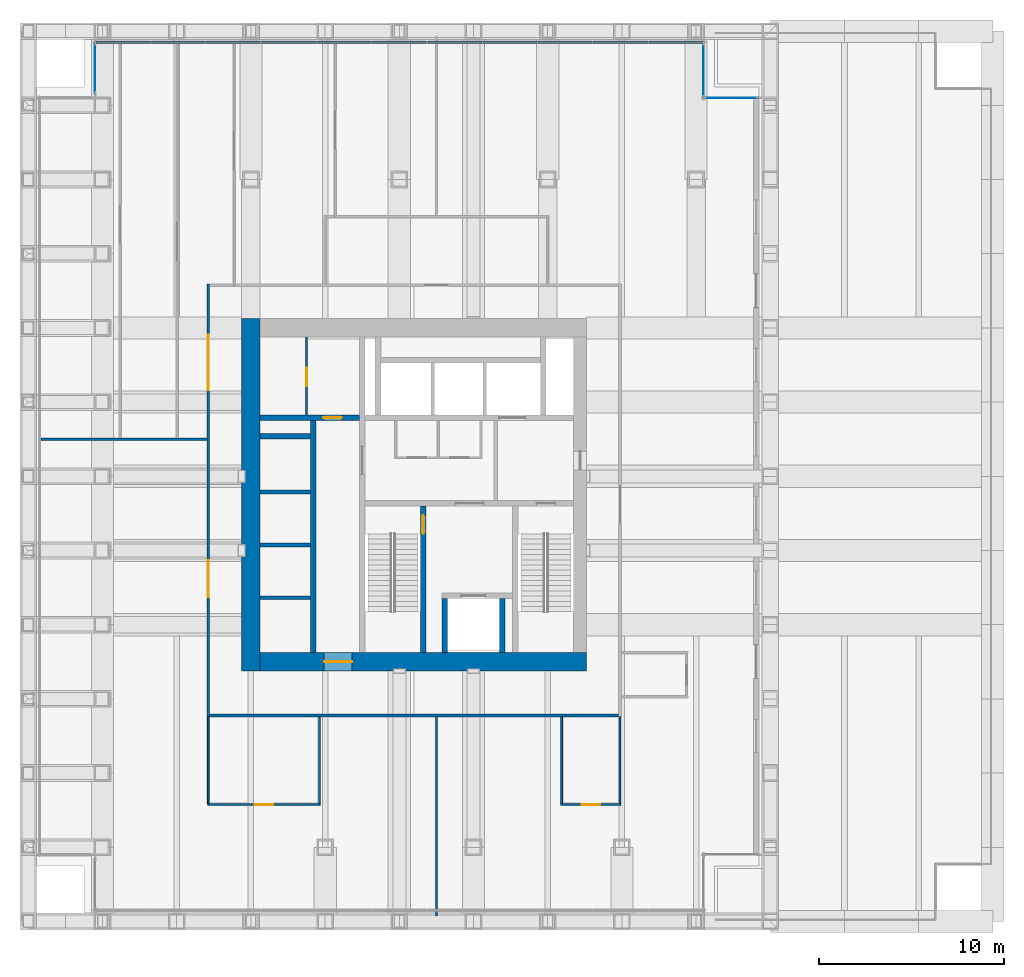
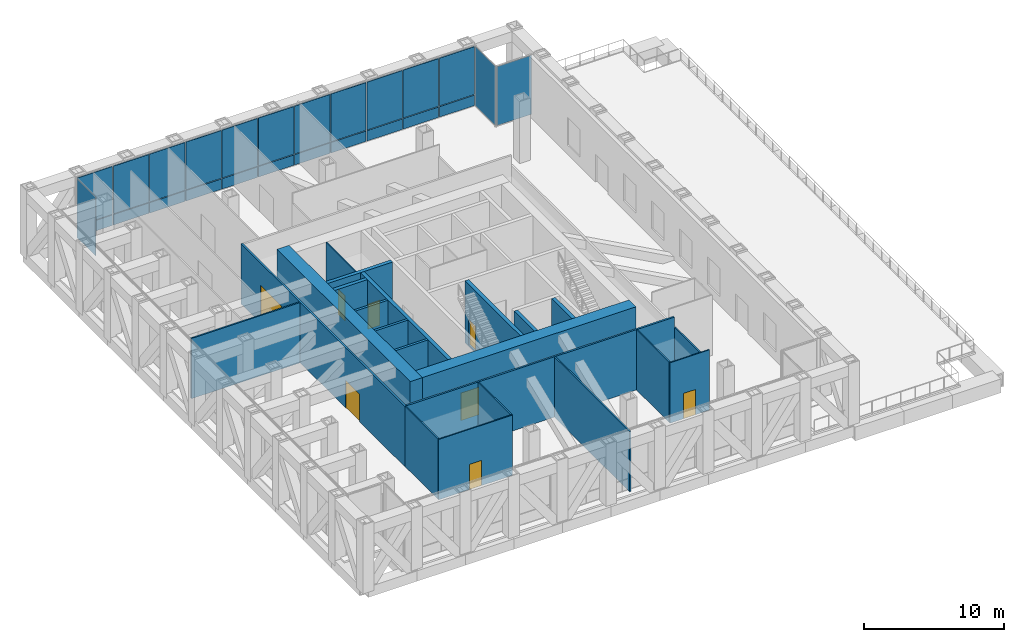
# One storey, part 10 of 13: 25 plates, 22 walls, 8 doors, 8 openings, 4 elements without a shape of their own.
"""IFC4 building model written with IfcOpenShell, lengths in metres."""

from ifc_helpers import new_model, si_unit, direction, frame, frame_2d, origin, origin_2d, place, context, subcontext, project, spatial, rectangle, extrude, material, layer, layer_set, type_object, element, fill, aggregate, save


model = new_model("IFC4")

# Units and contexts
model_context = context("Model", 3, precision=1e-05, world=origin(), true_north=direction((0.0, 1.0)))
body_context = subcontext(model_context, "Body", "Model", "MODEL_VIEW")
ifc_project = project(units=[si_unit("LENGTHUNIT", "METRE"), si_unit("AREAUNIT", "SQUARE_METRE"), si_unit("VOLUMEUNIT", "CUBIC_METRE"), si_unit("PLANEANGLEUNIT", "RADIAN"), si_unit("MASSUNIT", "GRAM", prefix="KILO")], contexts=[model_context])

# Site, building, storey
site_placement = place(None, origin())
site = spatial("IfcSite", under=ifc_project, at=site_placement, CompositionType="ELEMENT")
building_placement = place(site_placement, origin())
building = spatial("IfcBuilding", under=site, at=building_placement, Name="Rimbunsela Tower", CompositionType="ELEMENT")
storey_placement = place(building_placement, frame((0.0, 0.0, 137.39990234375)))
storey = spatial("IfcBuildingStorey", under=building, at=storey_placement, Name="L33", CompositionType="ELEMENT", Elevation=137.39990234375)

# Curtain wall, plate
ifc_material_1 = material(Name="Aluminium curtain wall", Category="aluminium")
curtain_wall_type_1 = type_object("IfcCurtainWallType", Name="Corner glazing", PredefinedType="USERDEFINED", material=ifc_material_1)
curtain_wall_1_placement = place(storey_placement, origin())
curtain_wall_1 = element("IfcCurtainWall", 1, at=curtain_wall_1_placement, inside=storey, type_object=curtain_wall_type_1, Name="Corner glazing L33", ObjectType="CORNER GLAZING", PredefinedType="USERDEFINED")
ifc_material_2 = material(Name="Clear double glazing", Category="glass")
ifc_layer_1 = layer(ifc_material_2, 0.028076171875)
ifc_layer_set_1 = layer_set([ifc_layer_1], Name="Glazed panel clear")
plate_type_1 = type_object("IfcPlateType", Name="Glazed panel clear", PredefinedType="CURTAIN_PANEL", material=ifc_layer_set_1)
plate_1_placement = place(storey_placement, frame((43.89990234375, 48.39990234375, 0.06005859375), z_axis=(0.0, 0.0, 1.0), x_axis=(-1.0, 0.0, 0.0)))
plate_1 = element("IfcPlate", 2, at=plate_1_placement, type_object=plate_type_1, Name="CW5 panel 1.1", PredefinedType="CURTAIN_PANEL", context=body_context, shape_type="SweptSolid", body=[
    extrude(rectangle(XDim=2.8798828125, YDim=0.028076171875, at=origin_2d()), origin(), (0.0, 0.0, 1.0), 5.1298828125),
])
aggregate(curtain_wall_1, [plate_1])

curtain_wall_2_placement = place(storey_placement, origin())
curtain_wall_2 = element("IfcCurtainWall", 3, at=curtain_wall_2_placement, inside=storey, type_object=curtain_wall_type_1, Name="Corner glazing L33", ObjectType="CORNER GLAZING", PredefinedType="USERDEFINED")
plate_2_placement = place(storey_placement, frame((42.39990234375, 49.89990234375, 0.06005859375), z_axis=(0.0, 0.0, 1.0), x_axis=(0.0, 1.0, 0.0)))
plate_2 = element("IfcPlate", 4, at=plate_2_placement, type_object=plate_type_1, Name="CW5 panel 1.1", PredefinedType="CURTAIN_PANEL", context=body_context, shape_type="SweptSolid", body=[
    extrude(rectangle(XDim=2.8798828125, YDim=0.028076171875, at=origin_2d()), origin(), (0.0, 0.0, 1.0), 5.1298828125),
])
aggregate(curtain_wall_2, [plate_2])

curtain_wall_3_placement = place(storey_placement, origin())
curtain_wall_3 = element("IfcCurtainWall", 5, at=curtain_wall_3_placement, inside=storey, type_object=curtain_wall_type_1, Name="Corner glazing L33", ObjectType="CORNER GLAZING", PredefinedType="USERDEFINED")
plate_3_placement = place(storey_placement, frame((9.60009765625, 49.99755859375, 0.06005859375), z_axis=(0.0, 0.0, 1.0), x_axis=(0.0, -1.0, 0.0)))
plate_3 = element("IfcPlate", 6, at=plate_3_placement, type_object=plate_type_1, Name="CW5 panel 1.1", PredefinedType="CURTAIN_PANEL", context=body_context, shape_type="SweptSolid", body=[
    extrude(rectangle(XDim=2.68505859375, YDim=0.028076171875, at=origin_2d()), origin(), (0.0, 0.0, 1.0), 5.1298828125),
])
aggregate(curtain_wall_3, [plate_3])

# Curtain wall, plates
ifc_material_3 = material(Name="Aluminium curtain wall", Category="aluminium")
curtain_wall_type_2 = type_object("IfcCurtainWallType", Name="Plant floor louvre wall", PredefinedType="USERDEFINED", material=ifc_material_3)
curtain_wall_4_placement = place(storey_placement, origin())
curtain_wall_4 = element("IfcCurtainWall", 7, at=curtain_wall_4_placement, inside=storey, type_object=curtain_wall_type_2, Name="Plant floor louvre wall L33", ObjectType="PLANT FLOOR LOUVRE WALL", PredefinedType="USERDEFINED")
ifc_material_4 = material(Name="Aluminium louvre blades 100 deep", Category="aluminium")
ifc_layer_2 = layer(ifc_material_4, 0.10009765625)
ifc_layer_set_2 = layer_set([ifc_layer_2], Name="Louvre panel 100")
plate_type_2 = type_object("IfcPlateType", Name="Louvre panel 100", PredefinedType="CURTAIN_PANEL", material=ifc_layer_set_2)
plate_4_placement = place(storey_placement, frame((40.89404296875, 51.39990234375, 0.06005859375), z_axis=(0.0, 0.0, 1.0), x_axis=(-1.0, 0.0, 0.0)))
plate_4 = element("IfcPlate", 8, at=plate_4_placement, type_object=plate_type_2, Name="CW3 panel 1.1", PredefinedType="CURTAIN_PANEL", context=body_context, shape_type="SweptSolid", body=[
    extrude(rectangle(XDim=2.891845703125, YDim=0.10009765625, at=origin_2d()), origin(), (0.0, 0.0, 1.0), 0.909912109375),
])
plate_5_placement = place(storey_placement, frame((40.89404296875, 51.39990234375, 1.0302734375), z_axis=(0.0, 0.0, 1.0), x_axis=(-1.0, 0.0, 0.0)))
plate_5 = element("IfcPlate", 9, at=plate_5_placement, type_object=plate_type_2, Name="CW3 panel 1.2", PredefinedType="CURTAIN_PANEL", context=body_context, shape_type="SweptSolid", body=[
    extrude(rectangle(XDim=2.891845703125, YDim=0.10009765625, at=origin_2d()), origin(), (0.0, 0.0, 1.0), 4.159912109375),
])
plate_6_placement = place(storey_placement, frame((37.92724609375, 51.39990234375, 0.06005859375), z_axis=(0.0, 0.0, 1.0), x_axis=(-1.0, 0.0, 0.0)))
plate_6 = element("IfcPlate", 10, at=plate_6_placement, type_object=plate_type_2, Name="CW3 panel 2.1", PredefinedType="CURTAIN_PANEL", context=body_context, shape_type="SweptSolid", body=[
    extrude(rectangle(XDim=2.921875, YDim=0.10009765625, at=origin_2d()), origin(), (0.0, 0.0, 1.0), 0.909912109375),
])
plate_7_placement = place(storey_placement, frame((37.92724609375, 51.39990234375, 1.0302734375), z_axis=(0.0, 0.0, 1.0), x_axis=(-1.0, 0.0, 0.0)))
plate_7 = element("IfcPlate", 11, at=plate_7_placement, type_object=plate_type_2, Name="CW3 panel 2.2", PredefinedType="CURTAIN_PANEL", context=body_context, shape_type="SweptSolid", body=[
    extrude(rectangle(XDim=2.921875, YDim=0.10009765625, at=origin_2d()), origin(), (0.0, 0.0, 1.0), 4.159912109375),
])
plate_8_placement = place(storey_placement, frame((34.945556640625, 51.39990234375, 0.06005859375), z_axis=(0.0, 0.0, 1.0), x_axis=(-1.0, 0.0, 0.0)))
plate_8 = element("IfcPlate", 12, at=plate_8_placement, type_object=plate_type_2, Name="CW3 panel 3.1", PredefinedType="CURTAIN_PANEL", context=body_context, shape_type="SweptSolid", body=[
    extrude(rectangle(XDim=2.921875, YDim=0.10009765625, at=origin_2d()), origin(), (0.0, 0.0, 1.0), 0.909912109375),
])
plate_9_placement = place(storey_placement, frame((34.945556640625, 51.39990234375, 1.0302734375), z_axis=(0.0, 0.0, 1.0), x_axis=(-1.0, 0.0, 0.0)))
plate_9 = element("IfcPlate", 13, at=plate_9_placement, type_object=plate_type_2, Name="CW3 panel 3.2", PredefinedType="CURTAIN_PANEL", context=body_context, shape_type="SweptSolid", body=[
    extrude(rectangle(XDim=2.921875, YDim=0.10009765625, at=origin_2d()), origin(), (0.0, 0.0, 1.0), 4.159912109375),
])
plate_10_placement = place(storey_placement, frame((31.963623046875, 51.39990234375, 0.06005859375), z_axis=(0.0, 0.0, 1.0), x_axis=(-1.0, 0.0, 0.0)))
plate_10 = element("IfcPlate", 14, at=plate_10_placement, type_object=plate_type_2, Name="CW3 panel 4.1", PredefinedType="CURTAIN_PANEL", context=body_context, shape_type="SweptSolid", body=[
    extrude(rectangle(XDim=2.921875, YDim=0.10009765625, at=origin_2d()), origin(), (0.0, 0.0, 1.0), 0.909912109375),
])
plate_11_placement = place(storey_placement, frame((31.963623046875, 51.39990234375, 1.0302734375), z_axis=(0.0, 0.0, 1.0), x_axis=(-1.0, 0.0, 0.0)))
plate_11 = element("IfcPlate", 15, at=plate_11_placement, type_object=plate_type_2, Name="CW3 panel 4.2", PredefinedType="CURTAIN_PANEL", context=body_context, shape_type="SweptSolid", body=[
    extrude(rectangle(XDim=2.921875, YDim=0.10009765625, at=origin_2d()), origin(), (0.0, 0.0, 1.0), 4.159912109375),
])
plate_12_placement = place(storey_placement, frame((28.98193359375, 51.39990234375, 0.06005859375), z_axis=(0.0, 0.0, 1.0), x_axis=(-1.0, 0.0, 0.0)))
plate_12 = element("IfcPlate", 16, at=plate_12_placement, type_object=plate_type_2, Name="CW3 panel 5.1", PredefinedType="CURTAIN_PANEL", context=body_context, shape_type="SweptSolid", body=[
    extrude(rectangle(XDim=2.921875, YDim=0.10009765625, at=origin_2d()), origin(), (0.0, 0.0, 1.0), 0.909912109375),
])
plate_13_placement = place(storey_placement, frame((28.98193359375, 51.39990234375, 1.0302734375), z_axis=(0.0, 0.0, 1.0), x_axis=(-1.0, 0.0, 0.0)))
plate_13 = element("IfcPlate", 17, at=plate_13_placement, type_object=plate_type_2, Name="CW3 panel 5.2", PredefinedType="CURTAIN_PANEL", context=body_context, shape_type="SweptSolid", body=[
    extrude(rectangle(XDim=2.921875, YDim=0.10009765625, at=origin_2d()), origin(), (0.0, 0.0, 1.0), 4.159912109375),
])
plate_14_placement = place(storey_placement, frame((26.0, 51.39990234375, 0.06005859375), z_axis=(0.0, 0.0, 1.0), x_axis=(-1.0, 0.0, 0.0)))
plate_14 = element("IfcPlate", 18, at=plate_14_placement, type_object=plate_type_2, Name="CW3 panel 6.1", PredefinedType="CURTAIN_PANEL", context=body_context, shape_type="SweptSolid", body=[
    extrude(rectangle(XDim=2.921875, YDim=0.10009765625, at=origin_2d()), origin(), (0.0, 0.0, 1.0), 0.909912109375),
])
plate_15_placement = place(storey_placement, frame((26.0, 51.39990234375, 1.0302734375), z_axis=(0.0, 0.0, 1.0), x_axis=(-1.0, 0.0, 0.0)))
plate_15 = element("IfcPlate", 19, at=plate_15_placement, type_object=plate_type_2, Name="CW3 panel 6.2", PredefinedType="CURTAIN_PANEL", context=body_context, shape_type="SweptSolid", body=[
    extrude(rectangle(XDim=2.921875, YDim=0.10009765625, at=origin_2d()), origin(), (0.0, 0.0, 1.0), 4.159912109375),
])
plate_16_placement = place(storey_placement, frame((23.01806640625, 51.39990234375, 0.06005859375), z_axis=(0.0, 0.0, 1.0), x_axis=(-1.0, 0.0, 0.0)))
plate_16 = element("IfcPlate", 20, at=plate_16_placement, type_object=plate_type_2, Name="CW3 panel 7.1", PredefinedType="CURTAIN_PANEL", context=body_context, shape_type="SweptSolid", body=[
    extrude(rectangle(XDim=2.921875, YDim=0.10009765625, at=origin_2d()), origin(), (0.0, 0.0, 1.0), 0.909912109375),
])
plate_17_placement = place(storey_placement, frame((23.01806640625, 51.39990234375, 1.0302734375), z_axis=(0.0, 0.0, 1.0), x_axis=(-1.0, 0.0, 0.0)))
plate_17 = element("IfcPlate", 21, at=plate_17_placement, type_object=plate_type_2, Name="CW3 panel 7.2", PredefinedType="CURTAIN_PANEL", context=body_context, shape_type="SweptSolid", body=[
    extrude(rectangle(XDim=2.921875, YDim=0.10009765625, at=origin_2d()), origin(), (0.0, 0.0, 1.0), 4.159912109375),
])
plate_18_placement = place(storey_placement, frame((20.036376953125, 51.39990234375, 0.06005859375), z_axis=(0.0, 0.0, 1.0), x_axis=(-1.0, 0.0, 0.0)))
plate_18 = element("IfcPlate", 22, at=plate_18_placement, type_object=plate_type_2, Name="CW3 panel 8.1", PredefinedType="CURTAIN_PANEL", context=body_context, shape_type="SweptSolid", body=[
    extrude(rectangle(XDim=2.921875, YDim=0.10009765625, at=origin_2d()), origin(), (0.0, 0.0, 1.0), 0.909912109375),
])
plate_19_placement = place(storey_placement, frame((20.036376953125, 51.39990234375, 1.0302734375), z_axis=(0.0, 0.0, 1.0), x_axis=(-1.0, 0.0, 0.0)))
plate_19 = element("IfcPlate", 23, at=plate_19_placement, type_object=plate_type_2, Name="CW3 panel 8.2", PredefinedType="CURTAIN_PANEL", context=body_context, shape_type="SweptSolid", body=[
    extrude(rectangle(XDim=2.921875, YDim=0.10009765625, at=origin_2d()), origin(), (0.0, 0.0, 1.0), 4.159912109375),
])
plate_20_placement = place(storey_placement, frame((17.054443359375, 51.39990234375, 0.06005859375), z_axis=(0.0, 0.0, 1.0), x_axis=(-1.0, 0.0, 0.0)))
plate_20 = element("IfcPlate", 24, at=plate_20_placement, type_object=plate_type_2, Name="CW3 panel 9.1", PredefinedType="CURTAIN_PANEL", context=body_context, shape_type="SweptSolid", body=[
    extrude(rectangle(XDim=2.921875, YDim=0.10009765625, at=origin_2d()), origin(), (0.0, 0.0, 1.0), 0.909912109375),
])
plate_21_placement = place(storey_placement, frame((17.054443359375, 51.39990234375, 1.0302734375), z_axis=(0.0, 0.0, 1.0), x_axis=(-1.0, 0.0, 0.0)))
plate_21 = element("IfcPlate", 25, at=plate_21_placement, type_object=plate_type_2, Name="CW3 panel 9.2", PredefinedType="CURTAIN_PANEL", context=body_context, shape_type="SweptSolid", body=[
    extrude(rectangle(XDim=2.921875, YDim=0.10009765625, at=origin_2d()), origin(), (0.0, 0.0, 1.0), 4.159912109375),
])
plate_22_placement = place(storey_placement, frame((14.07275390625, 51.39990234375, 0.06005859375), z_axis=(0.0, 0.0, 1.0), x_axis=(-1.0, 0.0, 0.0)))
plate_22 = element("IfcPlate", 26, at=plate_22_placement, type_object=plate_type_2, Name="CW3 panel 10.1", PredefinedType="CURTAIN_PANEL", context=body_context, shape_type="SweptSolid", body=[
    extrude(rectangle(XDim=2.921875, YDim=0.10009765625, at=origin_2d()), origin(), (0.0, 0.0, 1.0), 0.909912109375),
])
plate_23_placement = place(storey_placement, frame((14.07275390625, 51.39990234375, 1.0302734375), z_axis=(0.0, 0.0, 1.0), x_axis=(-1.0, 0.0, 0.0)))
plate_23 = element("IfcPlate", 27, at=plate_23_placement, type_object=plate_type_2, Name="CW3 panel 10.2", PredefinedType="CURTAIN_PANEL", context=body_context, shape_type="SweptSolid", body=[
    extrude(rectangle(XDim=2.921875, YDim=0.10009765625, at=origin_2d()), origin(), (0.0, 0.0, 1.0), 4.159912109375),
])
plate_24_placement = place(storey_placement, frame((11.10595703125, 51.39990234375, 0.06005859375), z_axis=(0.0, 0.0, 1.0), x_axis=(-1.0, 0.0, 0.0)))
plate_24 = element("IfcPlate", 28, at=plate_24_placement, type_object=plate_type_2, Name="CW3 panel 11.1", PredefinedType="CURTAIN_PANEL", context=body_context, shape_type="SweptSolid", body=[
    extrude(rectangle(XDim=2.891845703125, YDim=0.10009765625, at=origin_2d()), origin(), (0.0, 0.0, 1.0), 0.909912109375),
])
plate_25_placement = place(storey_placement, frame((11.10595703125, 51.39990234375, 1.0302734375), z_axis=(0.0, 0.0, 1.0), x_axis=(-1.0, 0.0, 0.0)))
plate_25 = element("IfcPlate", 29, at=plate_25_placement, type_object=plate_type_2, Name="CW3 panel 11.2", PredefinedType="CURTAIN_PANEL", context=body_context, shape_type="SweptSolid", body=[
    extrude(rectangle(XDim=2.891845703125, YDim=0.10009765625, at=origin_2d()), origin(), (0.0, 0.0, 1.0), 4.159912109375),
])
aggregate(curtain_wall_4, [plate_4, plate_5, plate_6, plate_7, plate_8, plate_9, plate_10, plate_11, plate_12, plate_13, plate_14, plate_15, plate_16, plate_17, plate_18, plate_19, plate_20, plate_21, plate_22, plate_23, plate_24, plate_25])

# Wall, opening, door
ifc_material_5 = material(Name="Concrete fc' 80 MPa", Category="concrete")
ifc_layer_3 = layer(ifc_material_5, 0.300048828125)
ifc_layer_set_3 = layer_set([ifc_layer_3], Name="Core internal wall 300")
wall_type_1 = type_object("IfcWallType", Name="Core internal wall 300", PredefinedType="SHEAR", material=ifc_layer_set_3)
wall_1_placement = place(storey_placement, frame((27.300048828125, 18.5, -0.14990234375), z_axis=(0.0, 0.0, 1.0), x_axis=(0.0, 1.0, 0.0)))
wall_1 = element("IfcWall", 30, at=wall_1_placement, inside=storey, type_object=wall_type_1, Name="Stair A enclosure", PredefinedType="SHEAR", context=body_context, shape_type="SweptSolid", body=[
    extrude(rectangle(XDim=7.89990234375, YDim=0.300048828125, at=frame_2d((3.949951171875, 0.0))), origin(), (0.0, 0.0, 1.0), 5.39990234375),
])
opening_1_placement = place(wall_1_placement, frame((6.39990234375, 0.0, 0.14990234375)))
opening_1 = element("IfcOpeningElement", 31, at=opening_1_placement, cuts=wall_1, Name="Opening D01", PredefinedType="OPENING", context=body_context, shape_type="SweptSolid", body=[
    extrude(rectangle(XDim=1.0, YDim=2.199951171875, at=frame_2d((0.5, 1.10009765625))), frame((0.0, 0.159912109375, 0.0), z_axis=(0.0, -1.0, 0.0), x_axis=(1.0, 0.0, 0.0)), (0.0, 0.0, 1.0), 0.320068359375),
])
ifc_material_6 = material(Name="Steel door, fire rated", Category="steel")
door_type_1 = type_object("IfcDoorType", Name="Stair door 1000", OperationType="SINGLE_SWING_RIGHT", PredefinedType="DOOR", material=ifc_material_6)
door_1_placement = place(opening_1_placement, origin())
door_1 = element("IfcDoor", 32, at=door_1_placement, inside=storey, type_object=door_type_1, Name="Stair A door", OperationType="SINGLE_SWING_RIGHT", OverallHeight=2.199951171875, OverallWidth=1.0, PredefinedType="DOOR", context=body_context, shape_type="SweptSolid", body=[
    extrude(rectangle(XDim=1.0, YDim=2.199951171875, at=frame_2d((0.5, 1.10009765625))), frame((0.0, 0.02490234375, 0.0), z_axis=(0.0, -1.0, 0.0), x_axis=(1.0, 0.0, 0.0)), (0.0, 0.0, 1.0), 0.050048828125),
])
fill(opening_1, door_1)

# Walls
for number, where, z_axis, x_axis, name in (
    (33, (28.449951171875, 18.5, -0.14990234375), (0.0, 0.0, 1.0), (0.0, 1.0, 0.0), "Firefighting lift shaft west"),
    (34, (31.550048828125, 18.5, -0.14990234375), (0.0, 0.0, 1.0), (0.0, 1.0, 0.0), "Firefighting lift shaft east"),
):
    element("IfcWall", number, at=place(storey_placement, frame(where, z_axis=z_axis, x_axis=x_axis)), inside=storey, type_object=wall_type_1, Name=name, PredefinedType="SHEAR", context=body_context, shape_type="SweptSolid", body=[
        extrude(rectangle(XDim=2.89990234375, YDim=0.300048828125, at=frame_2d((1.449951171875, 0.0))), origin(), (0.0, 0.0, 1.0), 5.39990234375),
    ])
wall_2_placement = place(storey_placement, frame((21.35009765625, 18.5, -0.14990234375), z_axis=(0.0, 0.0, 1.0), x_axis=(0.0, 1.0, 0.0)))
element("IfcWall", 35, at=wall_2_placement, inside=storey, type_object=wall_type_1, Name="Lift shaft front west", PredefinedType="SHEAR", context=body_context, shape_type="SweptSolid", body=[
    extrude(rectangle(XDim=12.5, YDim=0.300048828125, at=frame_2d((6.25, 0.0))), origin(), (0.0, 0.0, 1.0), 5.39990234375),
])

# Wall, opening, door
wall_3_placement = place(storey_placement, frame((18.5, 31.14990234375, -0.14990234375), z_axis=(0.0, 0.0, 1.0), x_axis=(1.0, 0.0, 0.0)))
wall_3 = element("IfcWall", 36, at=wall_3_placement, inside=storey, type_object=wall_type_1, Name="Store wall", PredefinedType="SHEAR", context=body_context, shape_type="SweptSolid", body=[
    extrude(rectangle(XDim=5.35009765625, YDim=0.300048828125, at=frame_2d((2.675048828125, 0.0))), origin(), (0.0, 0.0, 1.0), 5.39990234375),
])
opening_2_placement = place(wall_3_placement, frame((3.39990234375, 0.0, 0.14990234375)))
opening_2 = element("IfcOpeningElement", 37, at=opening_2_placement, cuts=wall_3, Name="Opening D19", PredefinedType="OPENING", context=body_context, shape_type="SweptSolid", body=[
    extrude(rectangle(XDim=1.0, YDim=2.199951171875, at=frame_2d((0.5, 1.10009765625))), frame((0.0, 0.159912109375, 0.0), z_axis=(0.0, -1.0, 0.0), x_axis=(1.0, 0.0, 0.0)), (0.0, 0.0, 1.0), 0.320068359375),
])
ifc_material_7 = material(Name="Steel door, fire rated", Category="steel")
door_type_2 = type_object("IfcDoorType", Name="Service door 1000 fire rated", OperationType="SINGLE_SWING_LEFT", PredefinedType="DOOR", material=ifc_material_7)
door_2_placement = place(opening_2_placement, origin())
door_2 = element("IfcDoor", 38, at=door_2_placement, inside=storey, type_object=door_type_2, Name="IT room door", OperationType="SINGLE_SWING_LEFT", OverallHeight=2.199951171875, OverallWidth=1.0, PredefinedType="DOOR", context=body_context, shape_type="SweptSolid", body=[
    extrude(rectangle(XDim=1.0, YDim=2.199951171875, at=frame_2d((0.5, 1.10009765625))), frame((0.0, 0.02490234375, 0.0), z_axis=(0.0, -1.0, 0.0), x_axis=(1.0, 0.0, 0.0)), (0.0, 0.0, 1.0), 0.050048828125),
])
fill(opening_2, door_2)

# Wall
wall_4_placement = place(storey_placement, frame((18.5, 30.14990234375, -0.14990234375), z_axis=(0.0, 0.0, 1.0), x_axis=(1.0, 0.0, 0.0)))
element("IfcWall", 39, at=wall_4_placement, inside=storey, type_object=wall_type_1, Name="Lift shaft rear west", PredefinedType="SHEAR", context=body_context, shape_type="SweptSolid", body=[
    extrude(rectangle(XDim=2.699951171875, YDim=0.300048828125, at=frame_2d((1.35009765625, 0.0))), origin(), (0.0, 0.0, 1.0), 5.39990234375),
])

# Wall, opening, door
ifc_material_8 = material(Name="Concrete blockwork", Category="masonry")
ifc_layer_4 = layer(ifc_material_8, 0.10009765625)
ifc_layer_set_4 = layer_set([ifc_layer_4], Name="Core room partition 100")
wall_type_2 = type_object("IfcWallType", Name="Core room partition 100", PredefinedType="PARTITIONING", material=ifc_layer_set_4)
wall_5_placement = place(storey_placement, frame((21.0, 31.300048828125, 0.0), z_axis=(0.0, 0.0, 1.0), x_axis=(0.0, 1.0, 0.0)))
wall_5 = element("IfcWall", 40, at=wall_5_placement, inside=storey, type_object=wall_type_2, Name="Housekeeping store wall", PredefinedType="PARTITIONING", context=body_context, shape_type="SweptSolid", body=[
    extrude(rectangle(XDim=4.199951171875, YDim=0.10009765625, at=frame_2d((2.10009765625, 0.0))), origin(), (0.0, 0.0, 1.0), 5.25),
])
opening_3_placement = place(wall_5_placement, frame((1.550048828125, 0.0, 0.0)))
opening_3 = element("IfcOpeningElement", 41, at=opening_3_placement, cuts=wall_5, Name="Opening D19", PredefinedType="OPENING", context=body_context, shape_type="SweptSolid", body=[
    extrude(rectangle(XDim=1.0, YDim=2.199951171875, at=frame_2d((0.5, 1.10009765625))), frame((0.0, 0.06005859375, 0.0), z_axis=(0.0, -1.0, 0.0), x_axis=(1.0, 0.0, 0.0)), (0.0, 0.0, 1.0), 0.1201171875),
])
door_3_placement = place(opening_3_placement, origin())
door_3 = element("IfcDoor", 42, at=door_3_placement, inside=storey, type_object=door_type_2, Name="Housekeeping store door", OperationType="SINGLE_SWING_LEFT", OverallHeight=2.199951171875, OverallWidth=1.0, PredefinedType="DOOR", context=body_context, shape_type="SweptSolid", body=[
    extrude(rectangle(XDim=1.0, YDim=2.199951171875, at=frame_2d((0.5, 1.10009765625))), frame((0.0, 0.02490234375, 0.0), z_axis=(0.0, -1.0, 0.0), x_axis=(1.0, 0.0, 0.0)), (0.0, 0.0, 1.0), 0.050048828125),
])
fill(opening_3, door_3)

# Wall
ifc_material_9 = material(Name="Concrete fc' 80 MPa", Category="concrete")
ifc_layer_5 = layer(ifc_material_9, 1.0)
ifc_layer_set_5 = layer_set([ifc_layer_5], Name="Core wall 1000")
wall_type_3 = type_object("IfcWallType", Name="Core wall 1000", PredefinedType="SHEAR", material=ifc_layer_set_5)
wall_6_placement = place(storey_placement, frame((18.0, 17.5, -0.14990234375), z_axis=(0.0, 0.0, 1.0), x_axis=(0.0, 1.0, 0.0)))
element("IfcWall", 43, at=wall_6_placement, inside=storey, type_object=wall_type_3, Name="Core wall west", PredefinedType="SHEAR", context=body_context, shape_type="SweptSolid", body=[
    extrude(rectangle(XDim=19.0, YDim=1.0, at=frame_2d((9.5, 0.0))), origin(), (0.0, 0.0, 1.0), 5.39990234375),
])

# Wall, opening, door
wall_7_placement = place(storey_placement, frame((18.5, 18.0, -0.14990234375), z_axis=(0.0, 0.0, 1.0), x_axis=(1.0, 0.0, 0.0)))
wall_7 = element("IfcWall", 44, at=wall_7_placement, inside=storey, type_object=wall_type_3, Name="Core wall south", PredefinedType="SHEAR", context=body_context, shape_type="SweptSolid", body=[
    extrude(rectangle(XDim=17.60009765625, YDim=1.0, at=frame_2d((8.800048828125, 0.0))), origin(), (0.0, 0.0, 1.0), 5.39990234375),
])
opening_4_placement = place(wall_7_placement, frame((3.449951171875, 0.0, 0.14990234375)))
opening_4 = element("IfcOpeningElement", 45, at=opening_4_placement, cuts=wall_7, Name="Opening D03", PredefinedType="OPENING", context=body_context, shape_type="SweptSolid", body=[
    extrude(rectangle(XDim=1.5, YDim=2.39990234375, at=frame_2d((0.75, 1.199951171875))), frame((0.0, 0.510009765625, 0.0), z_axis=(0.0, -1.0, 0.0), x_axis=(1.0, 0.0, 0.0)), (0.0, 0.0, 1.0), 1.02001953125),
])
ifc_material_10 = material(Name="Steel door, fire rated", Category="steel")
door_type_3 = type_object("IfcDoorType", Name="Core lobby door 1500", OperationType="DOUBLE_DOOR_DOUBLE_SWING", PredefinedType="DOOR", material=ifc_material_10)
door_4_placement = place(opening_4_placement, origin())
door_4 = element("IfcDoor", 46, at=door_4_placement, inside=storey, type_object=door_type_3, Name="Core door south", OperationType="DOUBLE_DOOR_DOUBLE_SWING", OverallHeight=2.39990234375, OverallWidth=1.5, PredefinedType="DOOR", context=body_context, shape_type="SweptSolid", body=[
    extrude(rectangle(XDim=1.5, YDim=2.39990234375, at=frame_2d((0.75, 1.199951171875))), frame((0.0, 0.02490234375, 0.0), z_axis=(0.0, -1.0, 0.0), x_axis=(1.0, 0.0, 0.0)), (0.0, 0.0, 1.0), 0.050048828125),
])
fill(opening_4, door_4)

# Walls
ifc_material_11 = material(Name="Concrete blockwork", Category="masonry")
ifc_layer_6 = layer(ifc_material_11, 0.199951171875)
ifc_layer_set_6 = layer_set([ifc_layer_6], Name="Lift shaft wall 200")
wall_type_4 = type_object("IfcWallType", Name="Lift shaft wall 200", PredefinedType="SOLIDWALL", material=ifc_layer_set_6)
for number, where, z_axis, x_axis, name in (
    (47, (18.5, 21.449951171875, 0.0), (0.0, 0.0, 1.0), (1.0, 0.0, 0.0), "Lift shaft separation"),
    (48, (18.5, 24.300048828125, 0.0), (0.0, 0.0, 1.0), (1.0, 0.0, 0.0), "Lift shaft separation"),
    (49, (18.5, 27.14990234375, 0.0), (0.0, 0.0, 1.0), (1.0, 0.0, 0.0), "Lift shaft separation"),
):
    element("IfcWall", number, at=place(storey_placement, frame(where, z_axis=z_axis, x_axis=x_axis)), inside=storey, type_object=wall_type_4, Name=name, PredefinedType="SOLIDWALL", context=body_context, shape_type="SweptSolid", body=[
        extrude(rectangle(XDim=2.699951171875, YDim=0.199951171875, at=frame_2d((1.35009765625, 0.0))), origin(), (0.0, 0.0, 1.0), 5.25),
    ])

# Wall, opening, door
ifc_material_12 = material(Name="Gypsum board on steel studs", Category="steel")
ifc_layer_7 = layer(ifc_material_12, 0.10009765625)
ifc_layer_set_7 = layer_set([ifc_layer_7], Name="Office partition 100")
wall_type_5 = type_object("IfcWallType", Name="Office partition 100", PredefinedType="PARTITIONING", material=ifc_layer_set_7)
wall_8_placement = place(storey_placement, frame((15.64990234375, 10.300048828125, 0.0), z_axis=(0.0, 0.0, 1.0), x_axis=(1.0, 0.0, 0.0)))
wall_8 = element("IfcWall", 50, at=wall_8_placement, inside=storey, type_object=wall_type_5, Name="Office partition", PredefinedType="PARTITIONING", context=body_context, shape_type="SweptSolid", body=[
    extrude(rectangle(XDim=6.10009765625, YDim=0.10009765625, at=frame_2d((3.050048828125, 0.0))), origin(), (0.0, 0.0, 1.0), 5.25),
])
opening_5_placement = place(wall_8_placement, frame((2.550048828125, 0.0, 0.0)))
opening_5 = element("IfcOpeningElement", 51, at=opening_5_placement, cuts=wall_8, Name="Opening D16", PredefinedType="OPENING", context=body_context, shape_type="SweptSolid", body=[
    extrude(rectangle(XDim=1.0, YDim=2.199951171875, at=frame_2d((0.5, 1.10009765625))), frame((0.0, 0.06005859375, 0.0), z_axis=(0.0, -1.0, 0.0), x_axis=(1.0, 0.0, 0.0)), (0.0, 0.0, 1.0), 0.1201171875),
])
ifc_material_13 = material(Name="Timber door", Category="wood")
door_type_4 = type_object("IfcDoorType", Name="Office door 1000", OperationType="SINGLE_SWING_LEFT", PredefinedType="DOOR", material=ifc_material_13)
door_5_placement = place(opening_5_placement, origin())
door_5 = element("IfcDoor", 52, at=door_5_placement, inside=storey, type_object=door_type_4, Name="Office door", OperationType="SINGLE_SWING_LEFT", OverallHeight=2.199951171875, OverallWidth=1.0, PredefinedType="DOOR", context=body_context, shape_type="SweptSolid", body=[
    extrude(rectangle(XDim=1.0, YDim=2.199951171875, at=frame_2d((0.5, 1.10009765625))), frame((0.0, 0.02490234375, 0.0), z_axis=(0.0, -1.0, 0.0), x_axis=(1.0, 0.0, 0.0)), (0.0, 0.0, 1.0), 0.050048828125),
])
fill(opening_5, door_5)

wall_9_placement = place(storey_placement, frame((34.699951171875, 10.300048828125, 0.0), z_axis=(0.0, 0.0, 1.0), x_axis=(1.0, 0.0, 0.0)))
wall_9 = element("IfcWall", 53, at=wall_9_placement, inside=storey, type_object=wall_type_5, Name="Office partition", PredefinedType="PARTITIONING", context=body_context, shape_type="SweptSolid", body=[
    extrude(rectangle(XDim=3.25, YDim=0.10009765625, at=frame_2d((1.625, 0.0))), origin(), (0.0, 0.0, 1.0), 5.25),
])
opening_6_placement = place(wall_9_placement, frame((1.125, 0.0, 0.0)))
opening_6 = element("IfcOpeningElement", 54, at=opening_6_placement, cuts=wall_9, Name="Opening D16", PredefinedType="OPENING", context=body_context, shape_type="SweptSolid", body=[
    extrude(rectangle(XDim=1.0, YDim=2.199951171875, at=frame_2d((0.5, 1.10009765625))), frame((0.0, 0.06005859375, 0.0), z_axis=(0.0, -1.0, 0.0), x_axis=(1.0, 0.0, 0.0)), (0.0, 0.0, 1.0), 0.1201171875),
])
door_6_placement = place(opening_6_placement, origin())
door_6 = element("IfcDoor", 55, at=door_6_placement, inside=storey, type_object=door_type_4, Name="Office door", OperationType="SINGLE_SWING_LEFT", OverallHeight=2.199951171875, OverallWidth=1.0, PredefinedType="DOOR", context=body_context, shape_type="SweptSolid", body=[
    extrude(rectangle(XDim=1.0, YDim=2.199951171875, at=frame_2d((0.5, 1.10009765625))), frame((0.0, 0.02490234375, 0.0), z_axis=(0.0, -1.0, 0.0), x_axis=(1.0, 0.0, 0.0)), (0.0, 0.0, 1.0), 0.050048828125),
])
fill(opening_6, door_6)

# Walls
for number, where, z_axis, x_axis, name in (
    (56, (15.699951171875, 10.35009765625, 0.0), (0.0, 0.0, 1.0), (0.0, 1.0, 0.0), "Office partition"),
    (57, (21.699951171875, 10.35009765625, 0.0), (0.0, 0.0, 1.0), (0.0, 1.0, 0.0), "Office partition"),
    (58, (34.75, 10.35009765625, 0.0), (0.0, 0.0, 1.0), (0.0, 1.0, 0.0), "Office partition"),
):
    element("IfcWall", number, at=place(storey_placement, frame(where, z_axis=z_axis, x_axis=x_axis)), inside=storey, type_object=wall_type_5, Name=name, PredefinedType="PARTITIONING", context=body_context, shape_type="SweptSolid", body=[
        extrude(rectangle(XDim=4.6748046875, YDim=0.10009765625, at=frame_2d((2.33740234375, 0.0))), origin(), (0.0, 0.0, 1.0), 5.25),
    ])
wall_10_placement = place(storey_placement, frame((37.89990234375, 10.35009765625, 0.0), z_axis=(0.0, 0.0, 1.0), x_axis=(0.0, 1.0, 0.0)))
element("IfcWall", 59, at=wall_10_placement, inside=storey, type_object=wall_type_5, Name="Office partition", PredefinedType="PARTITIONING", context=body_context, shape_type="SweptSolid", body=[
    extrude(rectangle(XDim=4.6748046875, YDim=0.10009765625, at=frame_2d((2.33740234375, 0.0))), origin(), (0.0, 0.0, 1.0), 4.35009765625),
])

# Wall, openings, doors
ifc_material_14 = material(Name="Fire-rated gypsum board on steel studs, EI 60", Category="steel")
ifc_layer_8 = layer(ifc_material_14, 0.14990234375)
ifc_layer_set_8 = layer_set([ifc_layer_8], Name="Rated corridor wall 150")
wall_type_6 = type_object("IfcWallType", Name="Rated corridor wall 150", PredefinedType="PARTITIONING", material=ifc_layer_set_8)
wall_11_placement = place(storey_placement, frame((15.699951171875, 15.02490234375, 0.0), z_axis=(0.0, 0.0, 1.0), x_axis=(0.0, 1.0, 0.0)))
wall_11 = element("IfcWall", 60, at=wall_11_placement, inside=storey, type_object=wall_type_6, Name="Corridor wall west", PredefinedType="PARTITIONING", context=body_context, shape_type="SweptSolid", body=[
    extrude(rectangle(XDim=23.35009765625, YDim=0.14990234375, at=frame_2d((11.675048828125, 0.0))), origin(), (0.0, 0.0, 1.0), 5.25),
])
opening_7_placement = place(wall_11_placement, frame((6.448974609375, 0.0, 0.0)))
opening_7 = element("IfcOpeningElement", 61, at=opening_7_placement, cuts=wall_11, Name="Opening D08", PredefinedType="OPENING", context=body_context, shape_type="SweptSolid", body=[
    extrude(rectangle(XDim=2.0, YDim=2.39990234375, at=frame_2d((1.0, 1.199951171875))), frame((0.0, 0.0849609375, 0.0), z_axis=(0.0, -1.0, 0.0), x_axis=(1.0, 0.0, 0.0)), (0.0, 0.0, 1.0), 0.169921875),
])
opening_8_placement = place(wall_11_placement, frame((17.60107421875, 0.0, 0.0)))
opening_8 = element("IfcOpeningElement", 62, at=opening_8_placement, cuts=wall_11, Name="Opening D11", PredefinedType="OPENING", context=body_context, shape_type="SweptSolid", body=[
    extrude(rectangle(XDim=3.0, YDim=3.300048828125, at=frame_2d((1.5, 1.64990234375))), frame((0.0, 0.0849609375, 0.0), z_axis=(0.0, -1.0, 0.0), x_axis=(1.0, 0.0, 0.0)), (0.0, 0.0, 1.0), 0.169921875),
])
ifc_material_15 = material(Name="Steel door, fire rated", Category="steel")
door_type_5 = type_object("IfcDoorType", Name="Plant equipment door 3000", OperationType="DOUBLE_DOOR_DOUBLE_SWING", PredefinedType="DOOR", material=ifc_material_15)
door_7_placement = place(opening_8_placement, origin())
door_7 = element("IfcDoor", 63, at=door_7_placement, inside=storey, type_object=door_type_5, Name="Plant room door", OperationType="DOUBLE_DOOR_DOUBLE_SWING", OverallHeight=3.300048828125, OverallWidth=3.0, PredefinedType="DOOR", context=body_context, shape_type="SweptSolid", body=[
    extrude(rectangle(XDim=3.0, YDim=3.300048828125, at=frame_2d((1.5, 1.64990234375))), frame((0.0, 0.02490234375, 0.0), z_axis=(0.0, -1.0, 0.0), x_axis=(1.0, 0.0, 0.0)), (0.0, 0.0, 1.0), 0.050048828125),
])
fill(opening_8, door_7)
ifc_material_16 = material(Name="Steel door, fire rated", Category="steel")
door_type_6 = type_object("IfcDoorType", Name="Plant room door 2000", OperationType="DOUBLE_DOOR_DOUBLE_SWING", PredefinedType="DOOR", material=ifc_material_16)
door_8_placement = place(opening_7_placement, origin())
door_8 = element("IfcDoor", 64, at=door_8_placement, inside=storey, type_object=door_type_6, Name="Refuge area door", OperationType="DOUBLE_DOOR_DOUBLE_SWING", OverallHeight=2.39990234375, OverallWidth=2.0, PredefinedType="DOOR", context=body_context, shape_type="SweptSolid", body=[
    extrude(rectangle(XDim=2.0, YDim=2.39990234375, at=frame_2d((1.0, 1.199951171875))), frame((0.0, 0.02490234375, 0.0), z_axis=(0.0, -1.0, 0.0), x_axis=(1.0, 0.0, 0.0)), (0.0, 0.0, 1.0), 0.050048828125),
])
fill(opening_7, door_8)

# Walls
wall_12_placement = place(storey_placement, frame((15.77490234375, 15.10009765625, 0.0), z_axis=(0.0, 0.0, 1.0), x_axis=(1.0, 0.0, 0.0)))
element("IfcWall", 65, at=wall_12_placement, inside=storey, type_object=wall_type_6, Name="Corridor wall south", PredefinedType="PARTITIONING", context=body_context, shape_type="SweptSolid", body=[
    extrude(rectangle(XDim=22.050048828125, YDim=0.14990234375, at=frame_2d((11.02490234375, 0.0))), origin(), (0.0, 0.0, 1.0), 5.25),
])
ifc_material_17 = material(Name="Gypsum board on steel studs", Category="steel")
ifc_layer_9 = layer(ifc_material_17, 0.1201171875)
ifc_layer_set_9 = layer_set([ifc_layer_9], Name="Tenancy partition 120")
wall_type_7 = type_object("IfcWallType", Name="Tenancy partition 120", PredefinedType="PARTITIONING", material=ifc_layer_set_9)
wall_13_placement = place(storey_placement, frame((28.0, 4.300048828125, 0.0), z_axis=(0.0, 0.0, 1.0), x_axis=(0.0, 1.0, 0.0)))
element("IfcWall", 66, at=wall_13_placement, inside=storey, type_object=wall_type_7, Name="Tenancy partition south", PredefinedType="PARTITIONING", context=body_context, shape_type="SweptSolid", body=[
    extrude(rectangle(XDim=10.724853515625, YDim=0.1201171875, at=frame_2d((5.3623046875, 0.0))), origin(), (0.0, 0.0, 1.0), 5.25),
])
wall_14_placement = place(storey_placement, frame((6.679931640625, 30.0, 0.0), z_axis=(0.0, 0.0, 1.0), x_axis=(1.0, 0.0, 0.0)))
element("IfcWall", 67, at=wall_14_placement, inside=storey, type_object=wall_type_7, Name="Tenancy partition", PredefinedType="PARTITIONING", context=body_context, shape_type="SweptSolid", body=[
    extrude(rectangle(XDim=8.945068359375, YDim=0.1201171875, at=frame_2d((4.47265625, 0.0))), origin(), (0.0, 0.0, 1.0), 5.25),
])

save(model, "model.ifc")
